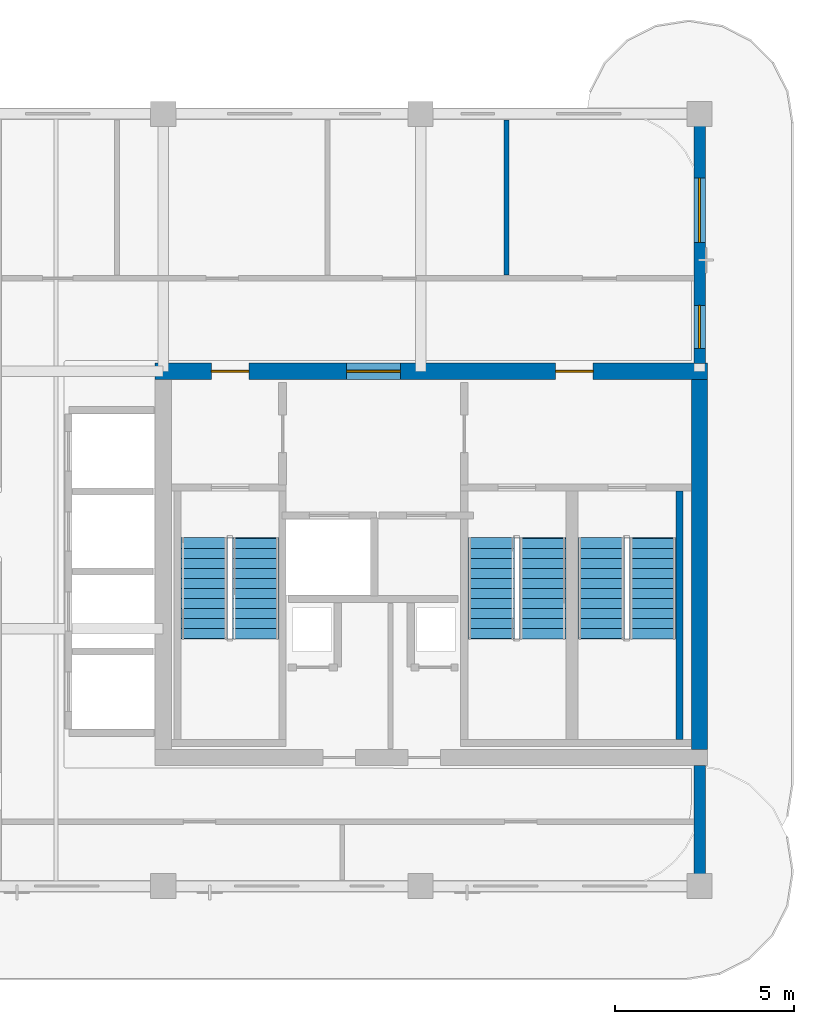
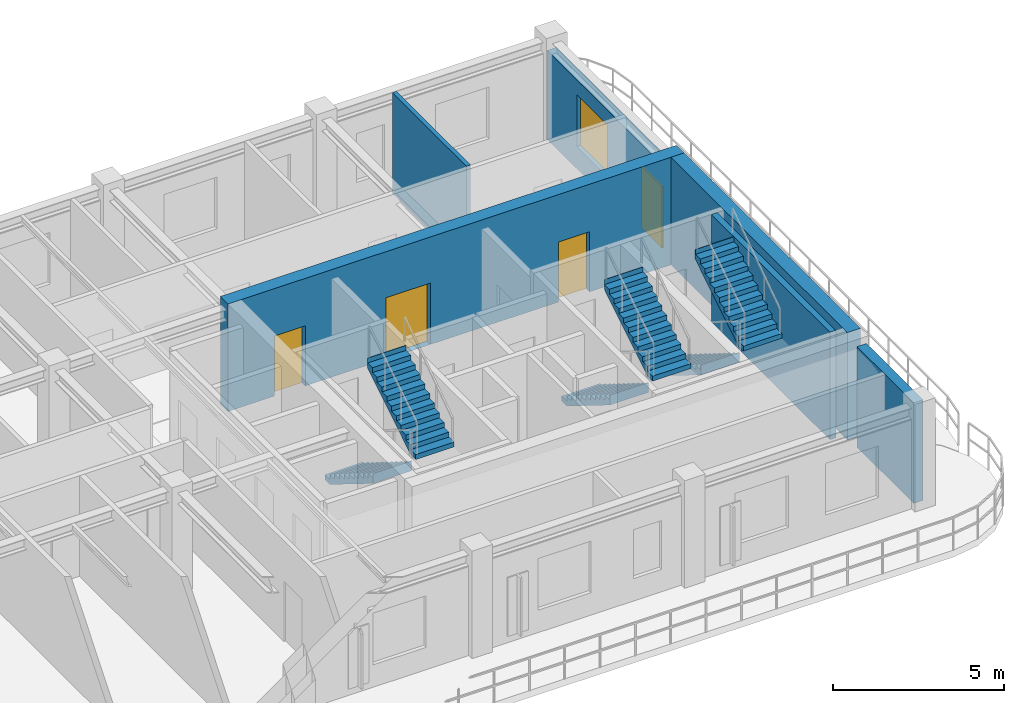
# One storey, part 5 of 8: 6 stair flights, 6 walls, 4 doors, 1 window, 5 openings, 3 elements without a shape of their own.
"""IFC4 building model written with IfcOpenShell, lengths in metres."""

import ifcopenshell
import ifcopenshell.guid

model = None  # the IFC model being written
_history = None  # IfcOwnerHistory: only IFC2X3 demands one
_inside = {}  # id of a spatial element -> (the spatial element, [elements in it])
_under = {}  # id of a project, library or spatial element -> (it, [spatial elements below it])
_declared = {}  # id of a project -> (the project, [libraries it declares])
_typed = {}  # id of a type object -> (the type object, [elements of that type])
_made_of = {}  # id of a material, layer set ... -> (it, [elements and type objects made of it])


def new_model(schema):
    """Start an empty IFC model of exactly this schema.

    Asked for "IFC4X3", IfcOpenShell would pick the latest addendum, in which some entities
    have other attributes; the version numbers below select the first issue.
    IFC2X3 requires an IfcOwnerHistory on every rooted entity: one is made here for all.
    """
    global model, _history
    if schema == "IFC4X3":
        model = ifcopenshell.file(schema_version=(4, 3, 0, 0))
    else:
        model = ifcopenshell.file(schema=schema)
    _inside.clear()
    _under.clear()
    _declared.clear()
    _typed.clear()
    _made_of.clear()
    _history = None
    if model.schema == "IFC2X3":
        org = make("IfcOrganization", Name="unknown")
        user = make(
            "IfcPersonAndOrganization",
            ThePerson=make("IfcPerson", FamilyName="unknown"),
            TheOrganization=org,
        )
        app = make(
            "IfcApplication",
            ApplicationDeveloper=org,
            Version="unknown",
            ApplicationFullName="unknown",
            ApplicationIdentifier="unknown",
        )
        _history = make(
            "IfcOwnerHistory",
            OwningUser=user,
            OwningApplication=app,
            ChangeAction="ADDED",
            CreationDate=0,
        )
    return model


def make(cls, **values):
    """One entity of the class cls with the attributes given. An attribute that is None is left unset."""
    return model.create_entity(
        cls, **{name: value for name, value in values.items() if value is not None}
    )


def rooted(cls, **values):
    """An entity with a GlobalId (a new one), such as an element, a storey or a relation."""
    return make(cls, GlobalId=ifcopenshell.guid.new(), OwnerHistory=_history, **values)


def si_unit(unit_type, name, prefix=None):
    """IfcSIUnit, for example si_unit("LENGTHUNIT", "METRE", prefix="MILLI")."""
    return make("IfcSIUnit", UnitType=unit_type, Prefix=prefix, Name=name)


def derived_unit(unit_type, elements):
    """IfcDerivedUnit: a product of units, each with its exponent."""
    return make(
        "IfcDerivedUnit",
        Elements=[
            make("IfcDerivedUnitElement", Unit=unit, Exponent=power)
            for unit, power in elements
        ],
        UnitType=unit_type,
    )


def assignment(units):
    """IfcUnitAssignment: the units of a project."""
    return None if units is None else make("IfcUnitAssignment", Units=units)


def point(xyz):
    """IfcCartesianPoint."""
    return None if xyz is None else make("IfcCartesianPoint", Coordinates=xyz)


def direction(xyz):
    """IfcDirection."""
    return None if xyz is None else make("IfcDirection", DirectionRatios=xyz)


def frame(location, z_axis=None, x_axis=None):
    """IfcAxis2Placement3D, a coordinate frame: its origin and axes. An axis left out is left unset."""
    return make(
        "IfcAxis2Placement3D",
        Location=point(location),
        Axis=direction(z_axis),
        RefDirection=direction(x_axis),
    )


def frame_2d(location, x_axis=None):
    """IfcAxis2Placement2D, a coordinate frame in the plane: its origin and x axis."""
    return make(
        "IfcAxis2Placement2D", Location=point(location), RefDirection=direction(x_axis)
    )


def origin():
    """The frame at (0, 0, 0) with its axes left unset."""
    return frame((0.0, 0.0, 0.0))


def place(relative_to, where):
    """IfcLocalPlacement: puts the frame where relative to a parent placement (None: the world)."""
    return make(
        "IfcLocalPlacement", PlacementRelTo=relative_to, RelativePlacement=where
    )


def context(
    kind, dimensions, precision=None, world=None, true_north=None, identifier=None
):
    """IfcGeometricRepresentationContext, for example the 3D "Model" context."""
    return make(
        "IfcGeometricRepresentationContext",
        ContextIdentifier=identifier,
        ContextType=kind,
        CoordinateSpaceDimension=dimensions,
        Precision=precision,
        WorldCoordinateSystem=world,
        TrueNorth=true_north,
    )


def subcontext(parent, identifier, kind, view, scale=None):
    """IfcGeometricRepresentationSubContext, for example "Body" below "Model"."""
    return make(
        "IfcGeometricRepresentationSubContext",
        ContextIdentifier=identifier,
        ContextType=kind,
        ParentContext=parent,
        TargetScale=scale,
        TargetView=view,
    )


def project(units=None, contexts=None):
    """IfcProject with its units and contexts."""
    return rooted(
        "IfcProject",
        Name="project",
        RepresentationContexts=contexts,
        UnitsInContext=assignment(units),
    )


def spatial(cls, under=None, at=None, **own):
    """A site, building, storey or space (cls), placed at a placement, below another one or the project."""
    s = rooted(cls, ObjectPlacement=at, **own)
    if under is not None:
        _under.setdefault(under.id(), (under, []))[1].append(s)
    return s


def polyline(points):
    """IfcPolyline through the points."""
    return make("IfcPolyline", Points=[point(p) for p in points])


def profile(cls, at=None, kind="AREA", **sizes):
    """A parametric profile (cls). Its sizes go by their IFC names, for example OverallWidth=200.0."""
    return make(cls, ProfileType=kind, Position=at, **sizes)


def rectangle(**sizes):
    """IfcRectangleProfileDef."""
    return profile("IfcRectangleProfileDef", **sizes)


def outline(outer, holes=None, kind="AREA"):
    """IfcArbitraryClosedProfileDef: a profile drawn as a closed curve; with holes, ...WithVoids."""
    if holes is None:
        return make("IfcArbitraryClosedProfileDef", ProfileType=kind, OuterCurve=outer)
    return make(
        "IfcArbitraryProfileDefWithVoids",
        ProfileType=kind,
        OuterCurve=outer,
        InnerCurves=holes,
    )


def extrude(swept, where, along, depth):
    """IfcExtrudedAreaSolid: the profile swept, set in the frame where, extruded along a direction by depth."""
    return make(
        "IfcExtrudedAreaSolid",
        SweptArea=swept,
        Position=where,
        ExtrudedDirection=direction(along),
        Depth=depth,
    )


def shape(context_of_items, identifier, shape_type, items):
    """IfcShapeRepresentation: the items that make up one representation, for example the "Body"."""
    return make(
        "IfcShapeRepresentation",
        ContextOfItems=context_of_items,
        RepresentationIdentifier=identifier,
        RepresentationType=shape_type,
        Items=items,
    )


def source(mapping_origin, context_of_items, identifier, shape_type, items):
    """IfcRepresentationMap: a shape defined once, which mapped items show again and again."""
    return make(
        "IfcRepresentationMap",
        MappingOrigin=mapping_origin,
        MappedRepresentation=shape(context_of_items, identifier, shape_type, items),
    )


def transform(
    local_origin,
    x_axis=None,
    y_axis=None,
    z_axis=None,
    scale=None,
    scale2=None,
    scale3=None,
    uniform=True,
):
    """IfcCartesianTransformationOperator3D, or its non-uniform kind. x_axis, y_axis, z_axis: its Axis1, 2, 3."""
    if uniform:
        return make(
            "IfcCartesianTransformationOperator3D",
            Axis1=direction(x_axis),
            Axis2=direction(y_axis),
            LocalOrigin=point(local_origin),
            Scale=scale,
            Axis3=direction(z_axis),
        )
    return make(
        "IfcCartesianTransformationOperator3DnonUniform",
        Axis1=direction(x_axis),
        Axis2=direction(y_axis),
        LocalOrigin=point(local_origin),
        Scale=scale,
        Axis3=direction(z_axis),
        Scale2=scale2,
        Scale3=scale3,
    )


def mapped(mapping_source, mapping_target):
    """IfcMappedItem: shows the shape of a source again, moved by a transform."""
    return make(
        "IfcMappedItem", MappingSource=mapping_source, MappingTarget=mapping_target
    )


def material(Name=None, Category=None):
    """IfcMaterial."""
    return make("IfcMaterial", Name=Name, Category=Category)


def layer(
    of_material, thickness, ventilated=None, Name=None, Category=None, Priority=None
):
    """IfcMaterialLayer: one layer of a wall or slab, of a material (None: an air gap)."""
    return make(
        "IfcMaterialLayer",
        Material=of_material,
        LayerThickness=thickness,
        IsVentilated=ventilated,
        Name=Name,
        Category=Category,
        Priority=Priority,
    )


def layer_set(layers, Name=None):
    """IfcMaterialLayerSet."""
    return make("IfcMaterialLayerSet", MaterialLayers=layers, LayerSetName=Name)


def made_of(thing, what):
    """Note that an element or type object is made of a material, layer set ...; save() writes the relation."""
    if what is not None:
        _made_of.setdefault(what.id(), (what, []))[1].append(thing)
    return thing


def type_object(cls, material=None, **own):
    """A type object (cls), such as IfcWallType, which elements share."""
    return made_of(rooted(cls, **own), material)


def type_shapes(of_type, sources):
    """Give a type object the sources (RepresentationMaps) that its elements show as mapped items."""
    of_type.RepresentationMaps = sources


def element(
    cls,
    number,
    at=None,
    inside=None,
    cuts=None,
    type_object=None,
    material=None,
    context=None,
    identifier="Body",
    shape_type=None,
    held_by="IfcProductDefinitionShape",
    body=None,
    shapes=None,
    **own,
):
    """One element of the class cls, such as IfcWall. Its Tag is "e" and its number.

    at: its placement. inside: the storey or other place that contains it. cuts: it is an
    opening in that element (IfcRelVoidsElement). A single representation is given by context,
    identifier, shape_type and body (its items); several are given by shapes. held_by: the class
    of the entity that holds the representations. save() writes the other relations.
    """
    e = rooted(cls, Tag="e%d" % number, ObjectPlacement=at, **own)
    if body is not None:
        shapes = [shape(context, identifier, shape_type, body)]
    if shapes is not None:
        e.Representation = make(held_by, Representations=shapes)
    if inside is not None:
        _inside.setdefault(inside.id(), (inside, []))[1].append(e)
    if cuts is not None:
        rooted(
            "IfcRelVoidsElement", RelatingBuildingElement=cuts, RelatedOpeningElement=e
        )
    if type_object is not None:
        _typed.setdefault(type_object.id(), (type_object, []))[1].append(e)
    return made_of(e, material)


def fill(opening, filler):
    """IfcRelFillsElement: the door or window that sits in an opening."""
    return rooted(
        "IfcRelFillsElement",
        RelatingOpeningElement=opening,
        RelatedBuildingElement=filler,
    )


def aggregate(whole, parts):
    """IfcRelAggregates: a whole, such as a stair, and the parts it consists of."""
    return rooted("IfcRelAggregates", RelatingObject=whole, RelatedObjects=parts)


def save(model, path):
    """Write the relations noted so far, then the file.

    IfcRelAggregates (storeys below a building ...), IfcRelContainedInSpatialStructure (elements
    in a storey), IfcRelDefinesByType, IfcRelAssociatesMaterial and IfcRelDeclares: one each for
    every whole, place, type object, material and project.
    """
    for whole, parts in _under.values():
        aggregate(whole, parts)
    for where, things in _inside.values():
        rooted(
            "IfcRelContainedInSpatialStructure",
            RelatedElements=things,
            RelatingStructure=where,
        )
    for kind, things in _typed.values():
        rooted("IfcRelDefinesByType", RelatedObjects=things, RelatingType=kind)
    for what, things in _made_of.values():
        rooted("IfcRelAssociatesMaterial", RelatedObjects=things, RelatingMaterial=what)
    for by, libraries in _declared.values():
        rooted("IfcRelDeclares", RelatingContext=by, RelatedDefinitions=libraries)
    model.write(path)


model = new_model("IFC4")

# Units and contexts
model_context = context("Model", 3, precision=1e-05, world=origin(), true_north=direction((0.0, 1.0)))
body_context = subcontext(model_context, "Body", "Model", "MODEL_VIEW")
ifc_project = project(units=[si_unit("LENGTHUNIT", "METRE"), si_unit("AREAUNIT", "SQUARE_METRE"), si_unit("VOLUMEUNIT", "CUBIC_METRE"), si_unit("PLANEANGLEUNIT", "RADIAN"), si_unit("MASSUNIT", "GRAM", prefix="KILO"), si_unit("THERMODYNAMICTEMPERATUREUNIT", "KELVIN"), si_unit("POWERUNIT", "WATT"), derived_unit("THERMALTRANSMITTANCEUNIT", [(si_unit("POWERUNIT", "WATT"), 1), (si_unit("AREAUNIT", "SQUARE_METRE"), -1), (si_unit("THERMODYNAMICTEMPERATUREUNIT", "KELVIN"), -1)])], contexts=[model_context])

# Site, building, storey
site_placement = place(None, origin())
site = spatial("IfcSite", under=ifc_project, at=site_placement, CompositionType="ELEMENT")
building_placement = place(site_placement, origin())
building = spatial("IfcBuilding", under=site, at=building_placement, Name="Zahravan Archway Hotel and Residences", CompositionType="ELEMENT")
storey_placement = place(building_placement, frame((0.0, 0.0, 286.60009765625)))
storey = spatial("IfcBuildingStorey", under=building, at=storey_placement, Name="L72", CompositionType="ELEMENT", Elevation=286.60009765625)

# Wall, openings, doors
ifc_material_1 = material(Name="Concrete C50/60", Category="concrete")
ifc_layer_1 = layer(ifc_material_1, 0.449951171875, Name="Concrete C50/60", Category="concrete")
ifc_layer_set_1 = layer_set([ifc_layer_1], Name="Concrete C50/60")
wall_type_1 = type_object("IfcWallType", Name="CW-CORE-450", PredefinedType="SHEAR", material=ifc_layer_set_1)
wall_1_placement = place(storey_placement, frame((34.574951171875, 14.39990234375, 0.0), z_axis=(0.0, 0.0, 1.0), x_axis=(1.0, 0.0, 0.0)))
wall_1 = element("IfcWall", 1, at=wall_1_placement, inside=storey, type_object=wall_type_1, Name="L72 Core A Shear N Wall 450 mm", PredefinedType="SHEAR", context=body_context, shape_type="SweptSolid", body=[
    extrude(rectangle(XDim=15.449951171875, YDim=0.449951171875, at=frame_2d((7.72509765625, 0.0))), origin(), (0.0, 0.0, 1.0), 3.849853515625),
])
opening_1_placement = place(wall_1_placement, frame((5.35498046875, 0.0, 0.0)))
opening_1 = element("IfcOpeningElement", 2, at=opening_1_placement, cuts=wall_1, Name="Opening FD-L1", PredefinedType="OPENING", context=body_context, shape_type="SweptSolid", body=[
    extrude(rectangle(XDim=1.5, YDim=2.199951171875, at=frame_2d((0.75, 1.10009765625))), frame((0.0, 0.23486328125, 0.0), z_axis=(0.0, -1.0, 0.0), x_axis=(1.0, 0.0, 0.0)), (0.0, 0.0, 1.0), 0.469970703125),
])
opening_2_placement = place(wall_1_placement, frame((1.570068359375, 0.0, 0.0)))
opening_2 = element("IfcOpeningElement", 3, at=opening_2_placement, cuts=wall_1, Name="Opening FD-L2", PredefinedType="OPENING", context=body_context, shape_type="SweptSolid", body=[
    extrude(rectangle(XDim=1.050048828125, YDim=2.14990234375, at=frame_2d((0.52490234375, 1.074951171875))), frame((0.0, 0.23486328125, 0.0), z_axis=(0.0, -1.0, 0.0), x_axis=(1.0, 0.0, 0.0)), (0.0, 0.0, 1.0), 0.469970703125),
])
opening_3_placement = place(wall_1_placement, frame((11.199951171875, 0.0, 0.0)))
opening_3 = element("IfcOpeningElement", 4, at=opening_3_placement, cuts=wall_1, Name="Opening FD-L2", PredefinedType="OPENING", context=body_context, shape_type="SweptSolid", body=[
    extrude(rectangle(XDim=1.050048828125, YDim=2.14990234375, at=frame_2d((0.52490234375, 1.074951171875))), frame((0.0, 0.23486328125, 0.0), z_axis=(0.0, -1.0, 0.0), x_axis=(1.0, 0.0, 0.0)), (0.0, 0.0, 1.0), 0.469970703125),
])
ifc_material_2 = material(Name="Fire-Rated Painted Steel", Category="steel")
door_type_1 = type_object("IfcDoorType", Name="FD-LOBBY-1100", OperationType="NOTDEFINED", PredefinedType="DOOR", material=ifc_material_2)
shared_shape_1 = source(origin(), body_context, "Body", "SweptSolid", [
    extrude(rectangle(XDim=1.050048828125, YDim=2.14990234375, at=frame_2d((0.52490234375, 1.074951171875))), frame((0.0, 0.02490234375, 0.0), z_axis=(0.0, -1.0, 0.0), x_axis=(1.0, 0.0, 0.0)), (0.0, 0.0, 1.0), 0.050048828125),
])
type_shapes(door_type_1, [shared_shape_1])
door_1_placement = place(opening_2_placement, origin())
door_1 = element("IfcDoor", 5, at=door_1_placement, inside=storey, type_object=door_type_1, Name="L72 Core A West Stair Lobby Door", OperationType="SINGLE_SWING_LEFT", OverallHeight=2.14990234375, OverallWidth=1.050048828125, PredefinedType="DOOR", context=body_context, shape_type="MappedRepresentation", body=[
    mapped(shared_shape_1, transform((0.0, 0.0, 0.0), scale=1.0)),
])
fill(opening_2, door_1)
door_2_placement = place(opening_3_placement, origin())
door_2 = element("IfcDoor", 6, at=door_2_placement, inside=storey, type_object=door_type_1, Name="L72 Core A East Stair Lobby Door", OperationType="SINGLE_SWING_RIGHT", OverallHeight=2.14990234375, OverallWidth=1.050048828125, PredefinedType="DOOR", context=body_context, shape_type="MappedRepresentation", body=[
    mapped(shared_shape_1, transform((0.0, 0.0, 0.0), scale=1.0)),
])
fill(opening_3, door_2)
door_type_2 = type_object("IfcDoorType", Name="FD-LOBBY-1500", OperationType="DOUBLE_DOOR_SINGLE_SWING", PredefinedType="DOOR", material=ifc_material_2)
shared_shape_2 = source(origin(), body_context, "Body", "SweptSolid", [
    extrude(rectangle(XDim=1.5, YDim=2.199951171875, at=frame_2d((0.75, 1.10009765625))), frame((0.0, 0.02490234375, 0.0), z_axis=(0.0, -1.0, 0.0), x_axis=(1.0, 0.0, 0.0)), (0.0, 0.0, 1.0), 0.050048828125),
])
type_shapes(door_type_2, [shared_shape_2])
door_3_placement = place(opening_1_placement, origin())
door_3 = element("IfcDoor", 7, at=door_3_placement, inside=storey, type_object=door_type_2, Name="L72 Core A FSAE Lobby Main Door", OperationType="DOUBLE_DOOR_SINGLE_SWING", OverallHeight=2.199951171875, OverallWidth=1.5, PredefinedType="DOOR", context=body_context, shape_type="MappedRepresentation", body=[
    mapped(shared_shape_2, transform((0.0, 0.0, 0.0), scale=1.0)),
])
fill(opening_1, door_3)

# Walls
wall_2_placement = place(storey_placement, frame((49.800048828125, 3.824951171875, 0.0), z_axis=(0.0, 0.0, 1.0), x_axis=(0.0, 1.0, 0.0)))
element("IfcWall", 8, at=wall_2_placement, inside=storey, type_object=wall_type_1, Name="L72 Core A Shear E Wall 450 mm", PredefinedType="SHEAR", context=body_context, shape_type="SweptSolid", body=[
    extrude(rectangle(XDim=10.35009765625, YDim=0.449951171875, at=frame_2d((5.175048828125, 0.0))), origin(), (0.0, 0.0, 1.0), 3.849853515625),
])
ifc_material_3 = material(Name="Agra Buff Sandstone & Insulated Backup", Category="masonry")
ifc_layer_2 = layer(ifc_material_3, 0.320068359375, Name="Agra Buff Sandstone & Insulated Backup", Category="masonry")
ifc_layer_set_2 = layer_set([ifc_layer_2], Name="Agra Buff Sandstone & Insulated Backup")
wall_type_2 = type_object("IfcWallType", Name="EW-SAND-320", PredefinedType="SOLIDWALL", material=ifc_layer_set_2)
wall_3_placement = place(storey_placement, frame((49.800048828125, 0.050048828125, 0.0), z_axis=(0.0, 0.0, 1.0), x_axis=(0.0, 1.0, 0.0)))
element("IfcWall", 9, at=wall_3_placement, inside=storey, type_object=wall_type_2, Name="L72 Exterior Sandstone Wall WA-ES", PredefinedType="SOLIDWALL", context=body_context, shape_type="SweptSolid", body=[
    extrude(rectangle(XDim=3.329833984375, YDim=0.320068359375, at=frame_2d((1.6650390625, 0.0))), origin(), (0.0, 0.0, 1.0), 3.599853515625),
])

# Wall, openings, door, window
wall_4_placement = place(storey_placement, frame((49.800048828125, 14.6201171875, 0.0), z_axis=(0.0, 0.0, 1.0), x_axis=(0.0, 1.0, 0.0)))
wall_4 = element("IfcWall", 10, at=wall_4_placement, inside=storey, type_object=wall_type_2, Name="L72 Exterior Sandstone Wall WA-EN", PredefinedType="SOLIDWALL", context=body_context, shape_type="SweptSolid", body=[
    extrude(rectangle(XDim=6.929931640625, YDim=0.320068359375, at=frame_2d((3.46484375, 0.0))), origin(), (0.0, 0.0, 1.0), 3.184814453125),
])
opening_4_placement = place(wall_4_placement, frame((0.419921875, 0.0, 0.0)))
opening_4 = element("IfcOpeningElement", 11, at=opening_4_placement, cuts=wall_4, Name="Opening ED-BL1", PredefinedType="OPENING", context=body_context, shape_type="SweptSolid", body=[
    extrude(rectangle(XDim=1.199951171875, YDim=2.199951171875, at=frame_2d((0.60009765625, 1.10009765625))), frame((0.0, 0.169921875, 0.0), z_axis=(0.0, -1.0, 0.0), x_axis=(1.0, 0.0, 0.0)), (0.0, 0.0, 1.0), 0.340087890625),
])
opening_5_placement = place(wall_4_placement, frame((3.384033203125, 0.0, 0.800048828125)))
opening_5 = element("IfcOpeningElement", 12, at=opening_5_placement, cuts=wall_4, Name="Opening W-02", PredefinedType="OPENING", context=body_context, shape_type="SweptSolid", body=[
    extrude(rectangle(XDim=1.800048828125, YDim=1.85009765625, at=frame_2d((0.89990234375, 0.925048828125))), frame((0.0, 0.169921875, 0.0), z_axis=(0.0, -1.0, 0.0), x_axis=(1.0, 0.0, 0.0)), (0.0, 0.0, 1.0), 0.340087890625),
])
ifc_material_4 = material(Name="Bronze-Anodized Glazed Aluminium", Category="aluminium")
door_type_3 = type_object("IfcDoorType", Name="ED-BALC-1200", OperationType="SLIDING_TO_LEFT", PredefinedType="DOOR", material=ifc_material_4)
shared_shape_3 = source(origin(), body_context, "Body", "SweptSolid", [
    extrude(rectangle(XDim=1.199951171875, YDim=2.199951171875, at=frame_2d((0.60009765625, 1.10009765625))), frame((0.0, 0.02490234375, 0.0), z_axis=(0.0, -1.0, 0.0), x_axis=(1.0, 0.0, 0.0)), (0.0, 0.0, 1.0), 0.050048828125),
])
type_shapes(door_type_3, [shared_shape_3])
door_4_placement = place(opening_4_placement, origin())
door_4 = element("IfcDoor", 13, at=door_4_placement, inside=storey, type_object=door_type_3, Name="L72 Outdoor Access Sliding Door (SLB-BAL-L72-EA)", OperationType="SLIDING_TO_LEFT", OverallHeight=2.199951171875, OverallWidth=1.199951171875, PredefinedType="DOOR", context=body_context, shape_type="MappedRepresentation", body=[
    mapped(shared_shape_3, transform((0.0, 0.0, 0.0), scale=1.0)),
])
fill(opening_4, door_4)
ifc_material_5 = material(Name="Bronze-Anodized Thermal-Break Aluminium & Low-E Glass", Category="aluminium")
window_type = type_object("IfcWindowType", Name="WIN-TWR-1800", PartitioningType="DOUBLE_PANEL_VERTICAL", PredefinedType="WINDOW", material=ifc_material_5)
shared_shape_4 = source(origin(), body_context, "Body", "SweptSolid", [
    extrude(rectangle(XDim=1.800048828125, YDim=1.85009765625, at=frame_2d((0.89990234375, 0.925048828125))), frame((0.0, 0.030029296875, 0.0), z_axis=(0.0, -1.0, 0.0), x_axis=(1.0, 0.0, 0.0)), (0.0, 0.0, 1.0), 0.06005859375),
])
type_shapes(window_type, [shared_shape_4])
window_placement = place(opening_5_placement, origin())
window = element("IfcWindow", 14, at=window_placement, inside=storey, type_object=window_type, Name="L72 Loggia Window 09", OverallHeight=1.85009765625, OverallWidth=1.800048828125, PartitioningType="DOUBLE_PANEL_VERTICAL", PredefinedType="WINDOW", context=body_context, shape_type="MappedRepresentation", body=[
    mapped(shared_shape_4, transform((0.0, 0.0, 0.0), scale=1.0)),
])
fill(opening_5, window)

# Walls
ifc_material_6 = material(Name="Moisture-Resistant Blockwork", Category="masonry")
ifc_layer_3 = layer(ifc_material_6, 0.139892578125, Name="Moisture-Resistant Blockwork", Category="masonry")
ifc_layer_set_3 = layer_set([ifc_layer_3], Name="Moisture-Resistant Blockwork")
wall_type_3 = type_object("IfcWallType", Name="PW-WET-140", PredefinedType="PARTITIONING", material=ifc_layer_set_3)
wall_5_placement = place(storey_placement, frame((44.39990234375, 17.090087890625, 0.0), z_axis=(0.0, 0.0, 1.0), x_axis=(0.0, 1.0, 0.0)))
element("IfcWall", 15, at=wall_5_placement, inside=storey, type_object=wall_type_3, Name="L72 Partition NE2-3", PredefinedType="PARTITIONING", context=body_context, shape_type="SweptSolid", body=[
    extrude(rectangle(XDim=4.341796875, YDim=0.139892578125, at=frame_2d((2.1708984375, 0.0))), origin(), (0.0, 0.0, 1.0), 3.599853515625),
])
ifc_layer_4 = layer(ifc_material_1, 0.199951171875, Name="Concrete C50/60", Category="concrete")
ifc_layer_set_4 = layer_set([ifc_layer_4], Name="Concrete C50/60")
wall_type_4 = type_object("IfcWallType", Name="SW-STAIR-200", PredefinedType="SHEAR", material=ifc_layer_set_4)
wall_6_placement = place(storey_placement, frame((49.239990234375, 4.10009765625, 0.0), z_axis=(0.0, 0.0, 1.0), x_axis=(0.0, 1.0, 0.0)))
element("IfcWall", 16, at=wall_6_placement, inside=storey, type_object=wall_type_4, Name="L72 Stairwell RC Wall CA-SA3E", PredefinedType="SHEAR", context=body_context, shape_type="SweptSolid", body=[
    extrude(rectangle(XDim=6.949951171875, YDim=0.199951171875, at=frame_2d((3.47509765625, 0.0))), origin(), (0.0, 0.0, 1.0), 3.849853515625),
])

# Stair, stair flights
stair_type = type_object("IfcStairType", Name="STR-CORE-1300", PredefinedType="HALF_TURN_STAIR", material=ifc_material_1)
stair_1_placement = place(storey_placement, origin())
stair_1 = element("IfcStair", 17, at=stair_1_placement, inside=storey, type_object=stair_type, Name="L72 Core A Exit Stair 1", PredefinedType="HALF_TURN_STAIR")
ifc_layer_5 = layer(ifc_material_1, 0.199951171875, Name="Concrete C50/60", Category="concrete")
ifc_layer_set_5 = layer_set([ifc_layer_5], Name="Concrete C50/60")
stair_flight_type = type_object("IfcStairFlightType", Name="SFL-CORE-1300", PredefinedType="STRAIGHT", material=ifc_layer_set_5)
shared_shape_5 = source(origin(), body_context, "Body", "SweptSolid", [
    extrude(outline(polyline([(-0.01611328125, 0.0), (-0.01611328125, 0.175048828125), (0.280029296875, 0.175048828125), (0.280029296875, 0.35009765625), (0.56005859375, 0.35009765625), (0.56005859375, 0.52490234375), (0.840087890625, 0.52490234375), (0.840087890625, 0.699951171875), (1.1201171875, 0.699951171875), (1.1201171875, 0.875), (1.39990234375, 0.875), (1.39990234375, 1.050048828125), (1.679931640625, 1.050048828125), (1.679931640625, 1.22509765625), (1.9599609375, 1.22509765625), (1.9599609375, 1.39990234375), (2.239990234375, 1.39990234375), (2.239990234375, 1.574951171875), (2.52001953125, 1.574951171875), (2.52001953125, 1.75), (2.800048828125, 1.75), (2.800048828125, 1.925048828125), (2.816162109375, 1.925048828125), (2.816162109375, 1.5732421875), (0.28271484375, 0.0), (-0.01611328125, 0.0)])), frame((0.0, 0.64990234375, 0.0), z_axis=(0.0, -1.0, 0.0), x_axis=(1.0, 0.0, 0.0)), (0.0, 0.0, 1.0), 1.300048828125),
])
stair_flight_1_placement = place(storey_placement, frame((35.949951171875, 9.72998046875, 0.0), z_axis=(0.0, 0.0, 1.0), x_axis=(0.0, -1.0, 0.0)))
stair_flight_1 = element("IfcStairFlight", 18, at=stair_flight_1_placement, type_object=stair_flight_type, Name="ST-A1 flight 1", NumberOfRisers=11, NumberOfTreads=10, PredefinedType="STRAIGHT", RiserHeight=0.175, TreadLength=0.28, context=body_context, shape_type="MappedRepresentation", body=[
    mapped(shared_shape_5, transform((0.0, 0.0, 0.0), scale=1.0)),
])
stair_flight_2_placement = place(storey_placement, frame((37.389892578125, 6.929931640625, 1.9248046875), z_axis=(0.0, 0.0, 1.0), x_axis=(0.0, 1.0, 0.0)))
stair_flight_2 = element("IfcStairFlight", 19, at=stair_flight_2_placement, type_object=stair_flight_type, Name="ST-A1 flight 2", NumberOfRisers=11, NumberOfTreads=10, PredefinedType="STRAIGHT", RiserHeight=0.175, TreadLength=0.28, context=body_context, shape_type="MappedRepresentation", body=[
    mapped(shared_shape_5, transform((0.0, 0.0, 0.0), scale=1.0)),
])
aggregate(stair_1, [stair_flight_1, stair_flight_2])

stair_2_placement = place(storey_placement, origin())
stair_2 = element("IfcStair", 20, at=stair_2_placement, inside=storey, type_object=stair_type, Name="L72 Core A Exit Stair 2", PredefinedType="HALF_TURN_STAIR")
stair_flight_3_placement = place(storey_placement, frame((43.969970703125, 9.72998046875, 0.0), z_axis=(0.0, 0.0, 1.0), x_axis=(0.0, -1.0, 0.0)))
stair_flight_3 = element("IfcStairFlight", 21, at=stair_flight_3_placement, type_object=stair_flight_type, Name="ST-A2 flight 1", NumberOfRisers=11, NumberOfTreads=10, PredefinedType="STRAIGHT", RiserHeight=0.175, TreadLength=0.28, context=body_context, shape_type="MappedRepresentation", body=[
    mapped(shared_shape_5, transform((0.0, 0.0, 0.0), scale=1.0)),
])
stair_flight_4_placement = place(storey_placement, frame((45.409912109375, 6.929931640625, 1.9248046875), z_axis=(0.0, 0.0, 1.0), x_axis=(0.0, 1.0, 0.0)))
stair_flight_4 = element("IfcStairFlight", 22, at=stair_flight_4_placement, type_object=stair_flight_type, Name="ST-A2 flight 2", NumberOfRisers=11, NumberOfTreads=10, PredefinedType="STRAIGHT", RiserHeight=0.175, TreadLength=0.28, context=body_context, shape_type="MappedRepresentation", body=[
    mapped(shared_shape_5, transform((0.0, 0.0, 0.0), scale=1.0)),
])
aggregate(stair_2, [stair_flight_3, stair_flight_4])

stair_3_placement = place(storey_placement, origin())
stair_3 = element("IfcStair", 23, at=stair_3_placement, inside=storey, type_object=stair_type, Name="L72 Core A Exit Stair 3", PredefinedType="HALF_TURN_STAIR")
stair_flight_5_placement = place(storey_placement, frame((47.050048828125, 9.72998046875, 0.0), z_axis=(0.0, 0.0, 1.0), x_axis=(0.0, -1.0, 0.0)))
stair_flight_5 = element("IfcStairFlight", 24, at=stair_flight_5_placement, type_object=stair_flight_type, Name="ST-A3 flight 1", NumberOfRisers=11, NumberOfTreads=10, PredefinedType="STRAIGHT", RiserHeight=0.175, TreadLength=0.28, context=body_context, shape_type="MappedRepresentation", body=[
    mapped(shared_shape_5, transform((0.0, 0.0, 0.0), scale=1.0)),
])
stair_flight_6_placement = place(storey_placement, frame((48.489990234375, 6.929931640625, 1.9248046875), z_axis=(0.0, 0.0, 1.0), x_axis=(0.0, 1.0, 0.0)))
stair_flight_6 = element("IfcStairFlight", 25, at=stair_flight_6_placement, type_object=stair_flight_type, Name="ST-A3 flight 2", NumberOfRisers=11, NumberOfTreads=10, PredefinedType="STRAIGHT", RiserHeight=0.175, TreadLength=0.28, context=body_context, shape_type="MappedRepresentation", body=[
    mapped(shared_shape_5, transform((0.0, 0.0, 0.0), scale=1.0)),
])
aggregate(stair_3, [stair_flight_5, stair_flight_6])

save(model, "model.ifc")
